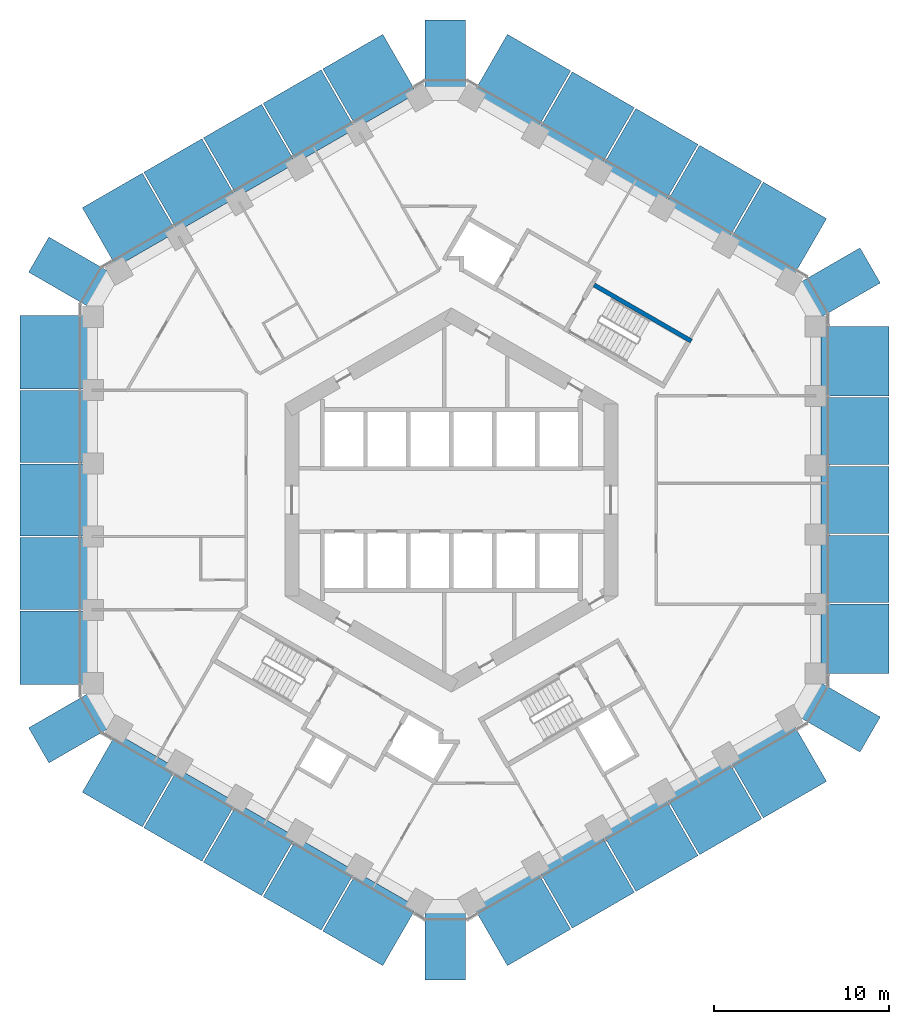
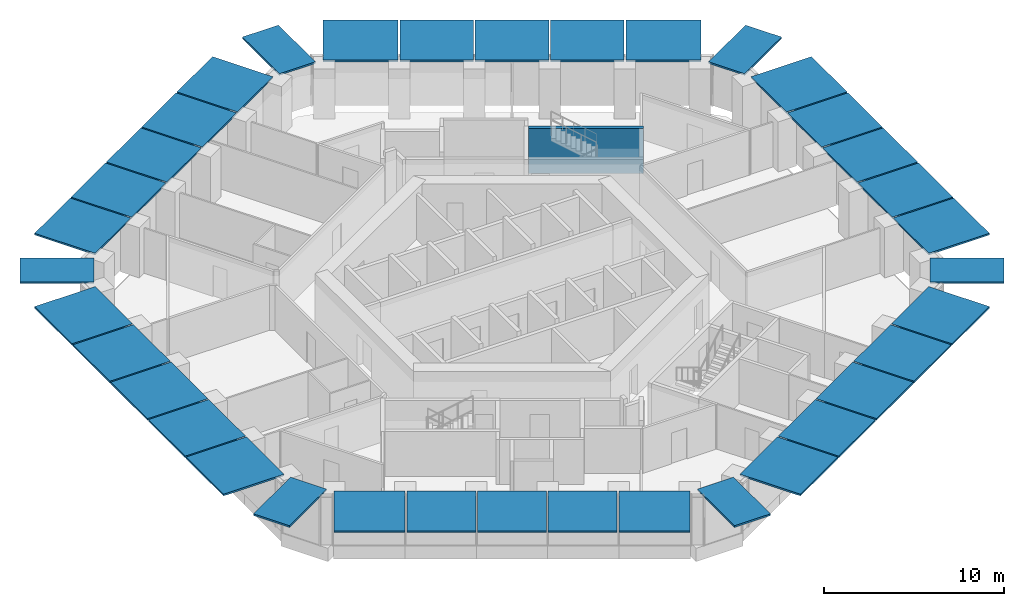
# One storey, part 15 of 19: 36 discrete accessories, 1 wall.
"""IFC4 building model written with IfcOpenShell, lengths in metres."""

from ifc_helpers import new_model, si_unit, direction, frame, frame_2d, origin, origin_2d, place, context, subcontext, project, spatial, rectangle, extrude, material, layer, layer_set, type_object, element, save


model = new_model("IFC4")

# Units and contexts
model_context = context("Model", 3, precision=1e-05, world=origin(), true_north=direction((0.0, 1.0)))
body_context = subcontext(model_context, "Body", "Model", "MODEL_VIEW")
ifc_project = project(units=[si_unit("LENGTHUNIT", "METRE"), si_unit("AREAUNIT", "SQUARE_METRE"), si_unit("VOLUMEUNIT", "CUBIC_METRE"), si_unit("PLANEANGLEUNIT", "RADIAN"), si_unit("MASSUNIT", "GRAM", prefix="KILO")], contexts=[model_context])

# Site, building, storey
site_placement = place(None, origin())
site = spatial("IfcSite", under=ifc_project, at=site_placement, CompositionType="ELEMENT")
building_placement = place(site_placement, origin())
building = spatial("IfcBuilding", under=site, at=building_placement, Name="Ayvan Gate Tower", CompositionType="ELEMENT")
storey_placement = place(building_placement, frame((0.0, 0.0, 42.5)))
storey = spatial("IfcBuildingStorey", under=building, at=storey_placement, Name="L10", CompositionType="ELEMENT", Elevation=42.5)

# Wall
ifc_material_1 = material(Name="Concrete C50/60", Category="concrete")
ifc_layer_1 = layer(ifc_material_1, 0.25)
ifc_layer_set_1 = layer_set([ifc_layer_1], Name="Concrete C50/60")
wall_type = type_object("IfcWallType", Name="WT-RC-250", PredefinedType="SHEAR", material=ifc_layer_set_1)
wall_placement = place(storey_placement, frame((8.151123046875, 12.26806640625, 0.0), z_axis=(0.0, 0.0, 1.0), x_axis=(0.866025499775, -0.499999833739, 0.0)))
element("IfcWall", 1, at=wall_placement, inside=storey, type_object=wall_type, Name="IW-L10-090", PredefinedType="SHEAR", context=body_context, shape_type="SweptSolid", body=[
    extrude(rectangle(XDim=6.39990234375, YDim=0.25, at=frame_2d((3.199951171875, 0.0))), origin(), (0.0, 0.0, 1.0), 3.050048828125),
])

# Discrete accessories
ifc_material_2 = material(Name="Stainless steel 316", Category="steel")
ifc_layer_2 = layer(ifc_material_2, 0.1201171875)
ifc_layer_set_2 = layer_set([ifc_layer_2], Name="Stainless steel 316")
discrete_accessory_type = type_object("IfcDiscreteAccessoryType", Name="Fin carrier bracket", PredefinedType="BRACKET", material=ifc_layer_set_2)
discrete_accessory_1_placement = place(storey_placement, frame((-22.671142578125, -8.429931640625, 3.280029296875), z_axis=(0.0, 0.0, 1.0), x_axis=(0.0, -1.0, 0.0)))
element("IfcDiscreteAccessory", 2, at=discrete_accessory_1_placement, inside=storey, type_object=discrete_accessory_type, Name="Fin carrier 12", PredefinedType="BRACKET", context=body_context, shape_type="SweptSolid", body=[
    extrude(rectangle(XDim=4.17138671875, YDim=3.88525390625, at=origin_2d()), origin(), (0.0, 0.0, 1.0), 0.1201171875),
])
for number, where, z_axis, x_axis, name in (
    (3, (-22.671142578125, -4.1962890625, 3.280029296875), (0.0, 0.0, 1.0), (0.0, -1.0, 0.0), "Fin carrier 18"),
    (4, (-22.671142578125, -0.000244140625, 3.280029296875), (0.0, 0.0, 1.0), (0.0, -1.0, 0.0), "Fin carrier 20"),
):
    element("IfcDiscreteAccessory", number, at=place(storey_placement, frame(where, z_axis=z_axis, x_axis=x_axis)), inside=storey, type_object=discrete_accessory_type, Name=name, PredefinedType="BRACKET", context=body_context, shape_type="SweptSolid", body=[
        extrude(rectangle(XDim=4.095947265625, YDim=3.88525390625, at=origin_2d()), origin(), (0.0, 0.0, 1.0), 0.1201171875),
    ])
discrete_accessory_2_placement = place(storey_placement, frame((-22.671142578125, 4.1962890625, 3.280029296875), z_axis=(0.0, 0.0, 1.0), x_axis=(0.0, -1.0, 0.0)))
element("IfcDiscreteAccessory", 5, at=discrete_accessory_2_placement, inside=storey, type_object=discrete_accessory_type, Name="Fin carrier 24", PredefinedType="BRACKET", context=body_context, shape_type="SweptSolid", body=[
    extrude(rectangle(XDim=4.096923828125, YDim=3.88525390625, at=origin_2d()), origin(), (0.0, 0.0, 1.0), 0.1201171875),
])
discrete_accessory_3_placement = place(storey_placement, frame((-22.671142578125, 8.43017578125, 3.280029296875), z_axis=(0.0, 0.0, 1.0), x_axis=(0.0, -1.0, 0.0)))
element("IfcDiscreteAccessory", 6, at=discrete_accessory_3_placement, inside=storey, type_object=discrete_accessory_type, Name="Fin carrier 28", PredefinedType="BRACKET", context=body_context, shape_type="SweptSolid", body=[
    extrude(rectangle(XDim=4.1708984375, YDim=3.88525390625, at=origin_2d()), origin(), (0.0, 0.0, 1.0), 0.1201171875),
])
for number, where, z_axis, x_axis, name in (
    (7, (-21.7607421875, -12.974609375, 3.280029296875), (0.0, 0.0, 1.0), (0.5, -0.866025403784, 0.0), "Fin carrier 33"),
    (8, (-21.7607421875, 12.974609375, 3.280029296875), (0.0, 0.0, 1.0), (-0.5, -0.866025403784, 0.0), "Fin carrier 37"),
):
    element("IfcDiscreteAccessory", number, at=place(storey_placement, frame(where, z_axis=z_axis, x_axis=x_axis)), inside=storey, type_object=discrete_accessory_type, Name=name, PredefinedType="BRACKET", context=body_context, shape_type="SweptSolid", body=[
        extrude(rectangle(XDim=2.314453125, YDim=4.116455078125, at=origin_2d()), origin(), (0.0, 0.0, 1.0), 0.1201171875),
    ])
discrete_accessory_4_placement = place(storey_placement, frame((-18.373779296875, -15.9814453125, 3.280029296875), z_axis=(0.0, 0.0, 1.0), x_axis=(0.866025403784, -0.5, 0.0)))
element("IfcDiscreteAccessory", 9, at=discrete_accessory_4_placement, inside=storey, type_object=discrete_accessory_type, Name="Fin carrier 135", PredefinedType="BRACKET", context=body_context, shape_type="SweptSolid", body=[
    extrude(rectangle(XDim=3.955078125, YDim=3.88525390625, at=origin_2d()), origin(), (0.0, 0.0, 1.0), 0.1201171875),
])
discrete_accessory_5_placement = place(storey_placement, frame((-18.373291015625, 15.981689453125, 3.280029296875), z_axis=(0.0, 0.0, 1.0), x_axis=(-0.866025403784, -0.5, 0.0)))
element("IfcDiscreteAccessory", 10, at=discrete_accessory_5_placement, inside=storey, type_object=discrete_accessory_type, Name="Fin carrier 145", PredefinedType="BRACKET", context=body_context, shape_type="SweptSolid", body=[
    extrude(rectangle(XDim=3.955810546875, YDim=3.88525390625, at=origin_2d()), origin(), (0.0, 0.0, 1.0), 0.1201171875),
])
for number, where, z_axis, x_axis, name in (
    (11, (-14.91650390625, -17.9775390625, 3.280029296875), (0.0, 0.0, 1.0), (0.866025403784, -0.5, 0.0), "Fin carrier 255"),
    (12, (-14.915771484375, 17.977783203125, 3.280029296875), (0.0, 0.0, 1.0), (-0.866025403784, -0.5, 0.0), "Fin carrier 261"),
    (13, (-11.513916015625, -19.94189453125, 3.280029296875), (0.0, 0.0, 1.0), (0.866025403784, -0.5, 0.0), "Fin carrier 317"),
    (14, (-11.51318359375, 19.9423828125, 3.280029296875), (0.0, 0.0, 1.0), (-0.866025403784, -0.5, 0.0), "Fin carrier 323"),
    (15, (-8.111328125, -21.906494140625, 3.280029296875), (0.0, 0.0, 1.0), (0.866025403784, -0.5, 0.0), "Fin carrier 378"),
    (16, (-8.110595703125, 21.906982421875, 3.280029296875), (0.0, 0.0, 1.0), (-0.866025403784, -0.5, 0.0), "Fin carrier 383"),
):
    element("IfcDiscreteAccessory", number, at=place(storey_placement, frame(where, z_axis=z_axis, x_axis=x_axis)), inside=storey, type_object=discrete_accessory_type, Name=name, PredefinedType="BRACKET", context=body_context, shape_type="SweptSolid", body=[
        extrude(rectangle(XDim=3.8291015625, YDim=3.88525390625, at=origin_2d()), origin(), (0.0, 0.0, 1.0), 0.1201171875),
    ])
discrete_accessory_6_placement = place(storey_placement, frame((-4.65380859375, -23.902587890625, 3.280029296875), z_axis=(0.0, 0.0, 1.0), x_axis=(0.866025403784, -0.5, 0.0)))
element("IfcDiscreteAccessory", 17, at=discrete_accessory_6_placement, inside=storey, type_object=discrete_accessory_type, Name="Fin carrier 443", PredefinedType="BRACKET", context=body_context, shape_type="SweptSolid", body=[
    extrude(rectangle(XDim=3.955810546875, YDim=3.88525390625, at=origin_2d()), origin(), (0.0, 0.0, 1.0), 0.1201171875),
])
discrete_accessory_7_placement = place(storey_placement, frame((-4.6533203125, 23.90283203125, 3.280029296875), z_axis=(0.0, 0.0, 1.0), x_axis=(-0.866025403784, -0.5, 0.0)))
element("IfcDiscreteAccessory", 18, at=discrete_accessory_7_placement, inside=storey, type_object=discrete_accessory_type, Name="Fin carrier 460", PredefinedType="BRACKET", context=body_context, shape_type="SweptSolid", body=[
    extrude(rectangle(XDim=3.955078125, YDim=3.88525390625, at=origin_2d()), origin(), (0.0, 0.0, 1.0), 0.1201171875),
])
for number, where, z_axis, x_axis, name in (
    (19, (-0.356201171875, -25.332763671875, 3.280029296875), (0.0, 0.0, 1.0), (1.0, 0.0, 0.0), "Fin carrier 511"),
    (20, (-0.356201171875, 25.332763671875, 3.280029296875), (0.0, 0.0, 1.0), (-1.0, 0.0, 0.0), "Fin carrier 523"),
):
    element("IfcDiscreteAccessory", number, at=place(storey_placement, frame(where, z_axis=z_axis, x_axis=x_axis)), inside=storey, type_object=discrete_accessory_type, Name=name, PredefinedType="BRACKET", context=body_context, shape_type="SweptSolid", body=[
        extrude(rectangle(XDim=2.314453125, YDim=4.116455078125, at=origin_2d()), origin(), (0.0, 0.0, 1.0), 0.1201171875),
    ])
discrete_accessory_8_placement = place(storey_placement, frame((4.034912109375, -23.848876953125, 3.280029296875), z_axis=(0.0, 0.0, 1.0), x_axis=(0.866025403784, 0.5, 0.0)))
element("IfcDiscreteAccessory", 21, at=discrete_accessory_8_placement, inside=storey, type_object=discrete_accessory_type, Name="Fin carrier 591", PredefinedType="BRACKET", context=body_context, shape_type="SweptSolid", body=[
    extrude(rectangle(XDim=4.1708984375, YDim=3.88525390625, at=origin_2d()), origin(), (0.0, 0.0, 1.0), 0.1201171875),
])
discrete_accessory_9_placement = place(storey_placement, frame((4.034912109375, 23.848876953125, 3.280029296875), z_axis=(0.0, 0.0, 1.0), x_axis=(-0.866025403784, 0.5, 0.0)))
element("IfcDiscreteAccessory", 22, at=discrete_accessory_9_placement, inside=storey, type_object=discrete_accessory_type, Name="Fin carrier 600", PredefinedType="BRACKET", context=body_context, shape_type="SweptSolid", body=[
    extrude(rectangle(XDim=4.17138671875, YDim=3.88525390625, at=origin_2d()), origin(), (0.0, 0.0, 1.0), 0.1201171875),
])
discrete_accessory_10_placement = place(storey_placement, frame((7.70166015625, -21.73193359375, 3.280029296875), z_axis=(0.0, 0.0, 1.0), x_axis=(0.866025403784, 0.5, 0.0)))
element("IfcDiscreteAccessory", 23, at=discrete_accessory_10_placement, inside=storey, type_object=discrete_accessory_type, Name="Fin carrier 653", PredefinedType="BRACKET", context=body_context, shape_type="SweptSolid", body=[
    extrude(rectangle(XDim=4.096923828125, YDim=3.88525390625, at=origin_2d()), origin(), (0.0, 0.0, 1.0), 0.1201171875),
])
for number, where, z_axis, x_axis, name in (
    (24, (7.701416015625, 21.73193359375, 3.280029296875), (0.0, 0.0, 1.0), (-0.866025403784, 0.5, 0.0), "Fin carrier 659"),
    (25, (11.3359375, -19.633544921875, 3.280029296875), (0.0, 0.0, 1.0), (0.866025403784, 0.5, 0.0), "Fin carrier 713"),
    (26, (11.335205078125, 19.634033203125, 3.280029296875), (0.0, 0.0, 1.0), (-0.866025403784, 0.5, 0.0), "Fin carrier 720"),
    (27, (14.9697265625, -17.53564453125, 3.280029296875), (0.0, 0.0, 1.0), (0.866025403784, 0.5, 0.0), "Fin carrier 771"),
):
    element("IfcDiscreteAccessory", number, at=place(storey_placement, frame(where, z_axis=z_axis, x_axis=x_axis)), inside=storey, type_object=discrete_accessory_type, Name=name, PredefinedType="BRACKET", context=body_context, shape_type="SweptSolid", body=[
        extrude(rectangle(XDim=4.095947265625, YDim=3.88525390625, at=origin_2d()), origin(), (0.0, 0.0, 1.0), 0.1201171875),
    ])
discrete_accessory_11_placement = place(storey_placement, frame((14.969482421875, 17.53564453125, 3.280029296875), z_axis=(0.0, 0.0, 1.0), x_axis=(-0.866025403784, 0.5, 0.0)))
element("IfcDiscreteAccessory", 28, at=discrete_accessory_11_placement, inside=storey, type_object=discrete_accessory_type, Name="Fin carrier 774", PredefinedType="BRACKET", context=body_context, shape_type="SweptSolid", body=[
    extrude(rectangle(XDim=4.096923828125, YDim=3.88525390625, at=origin_2d()), origin(), (0.0, 0.0, 1.0), 0.1201171875),
])
discrete_accessory_12_placement = place(storey_placement, frame((18.63623046875, -15.418701171875, 3.280029296875), z_axis=(0.0, 0.0, 1.0), x_axis=(0.866025403784, 0.5, 0.0)))
element("IfcDiscreteAccessory", 29, at=discrete_accessory_12_placement, inside=storey, type_object=discrete_accessory_type, Name="Fin carrier 892", PredefinedType="BRACKET", context=body_context, shape_type="SweptSolid", body=[
    extrude(rectangle(XDim=4.17138671875, YDim=3.88525390625, at=origin_2d()), origin(), (0.0, 0.0, 1.0), 0.1201171875),
])
discrete_accessory_13_placement = place(storey_placement, frame((18.63623046875, 15.418701171875, 3.280029296875), z_axis=(0.0, 0.0, 1.0), x_axis=(-0.866025403784, 0.5, 0.0)))
element("IfcDiscreteAccessory", 30, at=discrete_accessory_13_placement, inside=storey, type_object=discrete_accessory_type, Name="Fin carrier 908", PredefinedType="BRACKET", context=body_context, shape_type="SweptSolid", body=[
    extrude(rectangle(XDim=4.1708984375, YDim=3.88525390625, at=origin_2d()), origin(), (0.0, 0.0, 1.0), 0.1201171875),
])
for number, where, z_axis, x_axis, name in (
    (31, (22.11669921875, -12.35791015625, 3.280029296875), (0.0, 0.0, 1.0), (0.5, 0.866025403784, 0.0), "Fin carrier 991"),
    (32, (22.11669921875, 12.35791015625, 3.280029296875), (0.0, 0.0, 1.0), (-0.5, 0.866025403784, 0.0), "Fin carrier 995"),
):
    element("IfcDiscreteAccessory", number, at=place(storey_placement, frame(where, z_axis=z_axis, x_axis=x_axis)), inside=storey, type_object=discrete_accessory_type, Name=name, PredefinedType="BRACKET", context=body_context, shape_type="SweptSolid", body=[
        extrude(rectangle(XDim=2.314453125, YDim=4.116455078125, at=origin_2d()), origin(), (0.0, 0.0, 1.0), 0.1201171875),
    ])
discrete_accessory_14_placement = place(storey_placement, frame((23.027099609375, -7.92138671875, 3.280029296875), z_axis=(0.0, 0.0, 1.0), x_axis=(0.0, 1.0, 0.0)))
element("IfcDiscreteAccessory", 33, at=discrete_accessory_14_placement, inside=storey, type_object=discrete_accessory_type, Name="Fin carrier 1001", PredefinedType="BRACKET", context=body_context, shape_type="SweptSolid", body=[
    extrude(rectangle(XDim=3.955078125, YDim=3.88525390625, at=origin_2d()), origin(), (0.0, 0.0, 1.0), 0.1201171875),
])
for number, where, z_axis, x_axis, name in (
    (34, (23.027099609375, -3.929443359375, 3.280029296875), (0.0, 0.0, 1.0), (0.0, 1.0, 0.0), "Fin carrier 1007"),
    (35, (23.027099609375, -0.00048828125, 3.280029296875), (0.0, 0.0, 1.0), (0.0, 1.0, 0.0), "Fin carrier 1013"),
    (36, (23.027099609375, 3.928466796875, 3.280029296875), (0.0, 0.0, 1.0), (0.0, 1.0, 0.0), "Fin carrier 1020"),
):
    element("IfcDiscreteAccessory", number, at=place(storey_placement, frame(where, z_axis=z_axis, x_axis=x_axis)), inside=storey, type_object=discrete_accessory_type, Name=name, PredefinedType="BRACKET", context=body_context, shape_type="SweptSolid", body=[
        extrude(rectangle(XDim=3.8291015625, YDim=3.88525390625, at=origin_2d()), origin(), (0.0, 0.0, 1.0), 0.1201171875),
    ])
discrete_accessory_15_placement = place(storey_placement, frame((23.027099609375, 7.9208984375, 3.280029296875), z_axis=(0.0, 0.0, 1.0), x_axis=(0.0, 1.0, 0.0)))
element("IfcDiscreteAccessory", 37, at=discrete_accessory_15_placement, inside=storey, type_object=discrete_accessory_type, Name="Fin carrier 1027", PredefinedType="BRACKET", context=body_context, shape_type="SweptSolid", body=[
    extrude(rectangle(XDim=3.955810546875, YDim=3.88525390625, at=origin_2d()), origin(), (0.0, 0.0, 1.0), 0.1201171875),
])

save(model, "model.ifc")
